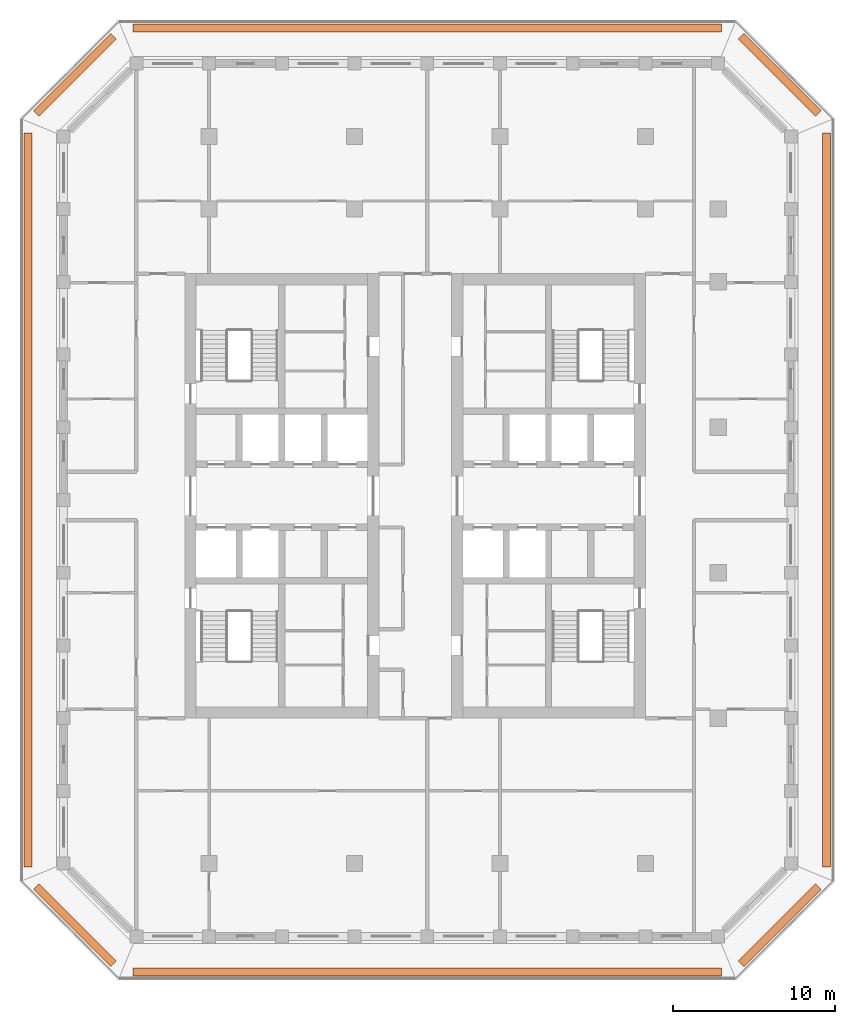
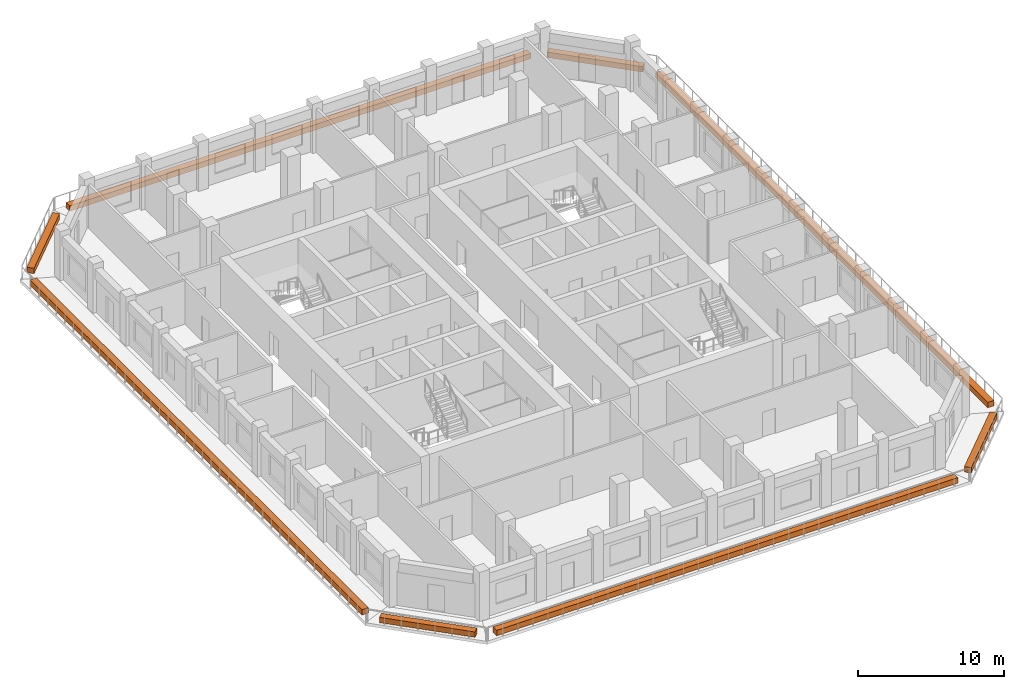
# One storey, part 17 of 17: 8 proxies.
"""IFC4 building model written with IfcOpenShell, lengths in metres."""

from ifc_helpers import new_model, si_unit, direction, frame, origin, origin_2d, place, context, subcontext, project, spatial, rectangle, extrude, material, type_object, element, save


model = new_model("IFC4")

# Units and contexts
model_context = context("Model", 3, precision=1e-05, world=origin(), true_north=direction((0.0, 1.0)))
body_context = subcontext(model_context, "Body", "Model", "MODEL_VIEW")
ifc_project = project(units=[si_unit("LENGTHUNIT", "METRE"), si_unit("AREAUNIT", "SQUARE_METRE"), si_unit("VOLUMEUNIT", "CUBIC_METRE"), si_unit("PLANEANGLEUNIT", "RADIAN"), si_unit("MASSUNIT", "GRAM", prefix="KILO")], contexts=[model_context])

# Site, building, storey
site_placement = place(None, origin())
site = spatial("IfcSite", under=ifc_project, at=site_placement, CompositionType="ELEMENT")
building_placement = place(site_placement, origin())
building = spatial("IfcBuilding", under=site, at=building_placement, Name="Corbel Stack Research Tower", CompositionType="ELEMENT")
storey_placement = place(building_placement, frame((0.0, 0.0, 243.89990234375)))
storey = spatial("IfcBuildingStorey", under=building, at=storey_placement, Name="L55", CompositionType="ELEMENT", Elevation=243.89990234375)

# Proxies
ifc_material = material(Name="Concrete C45/55", Category="concrete")
building_element_proxy_type = type_object("IfcBuildingElementProxyType", Name="Planter box", PredefinedType="USERDEFINED", material=ifc_material)
proxy_1_placement = place(storey_placement, frame((4.5, -24.699951171875, 0.0), z_axis=(0.0, 0.0, 1.0), x_axis=(1.0, 0.0, 0.0)))
element("IfcBuildingElementProxy", 1, at=proxy_1_placement, inside=storey, type_object=building_element_proxy_type, Name="Planter L55 S", ObjectType="PLANTER", PredefinedType="USERDEFINED", context=body_context, shape_type="SweptSolid", body=[
    extrude(rectangle(XDim=36.41064453125, YDim=0.5, at=origin_2d()), origin(), (0.0, 0.0, 1.0), 0.449951171875),
])
proxy_2_placement = place(storey_placement, frame((26.3056640625, -21.8056640625, 0.0), z_axis=(0.0, 0.0, 1.0), x_axis=(0.707106781187, 0.707106781187, 0.0)))
element("IfcBuildingElementProxy", 2, at=proxy_2_placement, inside=storey, type_object=building_element_proxy_type, Name="Planter L55 SE", ObjectType="PLANTER", PredefinedType="USERDEFINED", context=body_context, shape_type="SweptSolid", body=[
    extrude(rectangle(XDim=6.774658203125, YDim=0.5, at=origin_2d()), origin(), (0.0, 0.0, 1.0), 0.449951171875),
])
proxy_3_placement = place(storey_placement, frame((29.199951171875, 4.5, 0.0), z_axis=(0.0, 0.0, 1.0), x_axis=(0.0, 1.0, 0.0)))
element("IfcBuildingElementProxy", 3, at=proxy_3_placement, inside=storey, type_object=building_element_proxy_type, Name="Planter L55 E", ObjectType="PLANTER", PredefinedType="USERDEFINED", context=body_context, shape_type="SweptSolid", body=[
    extrude(rectangle(XDim=45.41064453125, YDim=0.5, at=origin_2d()), origin(), (0.0, 0.0, 1.0), 0.449951171875),
])
proxy_4_placement = place(storey_placement, frame((26.3056640625, 30.8056640625, 0.0), z_axis=(0.0, 0.0, 1.0), x_axis=(-0.707106781187, 0.707106781187, 0.0)))
element("IfcBuildingElementProxy", 4, at=proxy_4_placement, inside=storey, type_object=building_element_proxy_type, Name="Planter L55 NE", ObjectType="PLANTER", PredefinedType="USERDEFINED", context=body_context, shape_type="SweptSolid", body=[
    extrude(rectangle(XDim=6.774658203125, YDim=0.5, at=origin_2d()), origin(), (0.0, 0.0, 1.0), 0.449951171875),
])
proxy_5_placement = place(storey_placement, frame((4.5, 33.699951171875, 0.0), z_axis=(0.0, 0.0, 1.0), x_axis=(-1.0, 0.0, 0.0)))
element("IfcBuildingElementProxy", 5, at=proxy_5_placement, inside=storey, type_object=building_element_proxy_type, Name="Planter L55 N", ObjectType="PLANTER", PredefinedType="USERDEFINED", context=body_context, shape_type="SweptSolid", body=[
    extrude(rectangle(XDim=36.41064453125, YDim=0.5, at=origin_2d()), origin(), (0.0, 0.0, 1.0), 0.449951171875),
])
proxy_6_placement = place(storey_placement, frame((-17.3056640625, 30.8056640625, 0.0), z_axis=(0.0, 0.0, 1.0), x_axis=(-0.707106781187, -0.707106781187, 0.0)))
element("IfcBuildingElementProxy", 6, at=proxy_6_placement, inside=storey, type_object=building_element_proxy_type, Name="Planter L55 NW", ObjectType="PLANTER", PredefinedType="USERDEFINED", context=body_context, shape_type="SweptSolid", body=[
    extrude(rectangle(XDim=6.774658203125, YDim=0.5, at=origin_2d()), origin(), (0.0, 0.0, 1.0), 0.449951171875),
])
proxy_7_placement = place(storey_placement, frame((-20.199951171875, 4.5, 0.0), z_axis=(0.0, 0.0, 1.0), x_axis=(0.0, -1.0, 0.0)))
element("IfcBuildingElementProxy", 7, at=proxy_7_placement, inside=storey, type_object=building_element_proxy_type, Name="Planter L55 W", ObjectType="PLANTER", PredefinedType="USERDEFINED", context=body_context, shape_type="SweptSolid", body=[
    extrude(rectangle(XDim=45.41064453125, YDim=0.5, at=origin_2d()), origin(), (0.0, 0.0, 1.0), 0.449951171875),
])
proxy_8_placement = place(storey_placement, frame((-17.3056640625, -21.8056640625, 0.0), z_axis=(0.0, 0.0, 1.0), x_axis=(0.707106781187, -0.707106781187, 0.0)))
element("IfcBuildingElementProxy", 8, at=proxy_8_placement, inside=storey, type_object=building_element_proxy_type, Name="Planter L55 SW", ObjectType="PLANTER", PredefinedType="USERDEFINED", context=body_context, shape_type="SweptSolid", body=[
    extrude(rectangle(XDim=6.774658203125, YDim=0.5, at=origin_2d()), origin(), (0.0, 0.0, 1.0), 0.449951171875),
])

save(model, "model.ifc")
